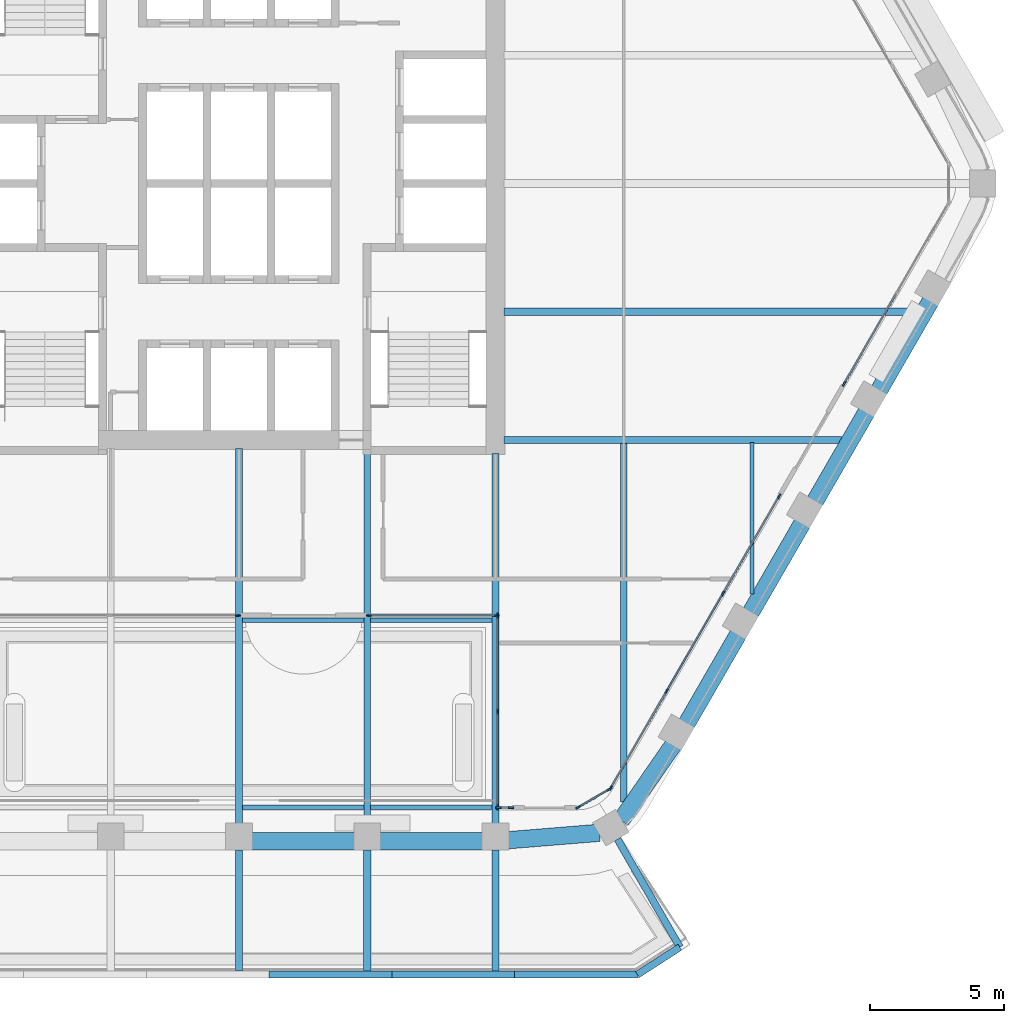
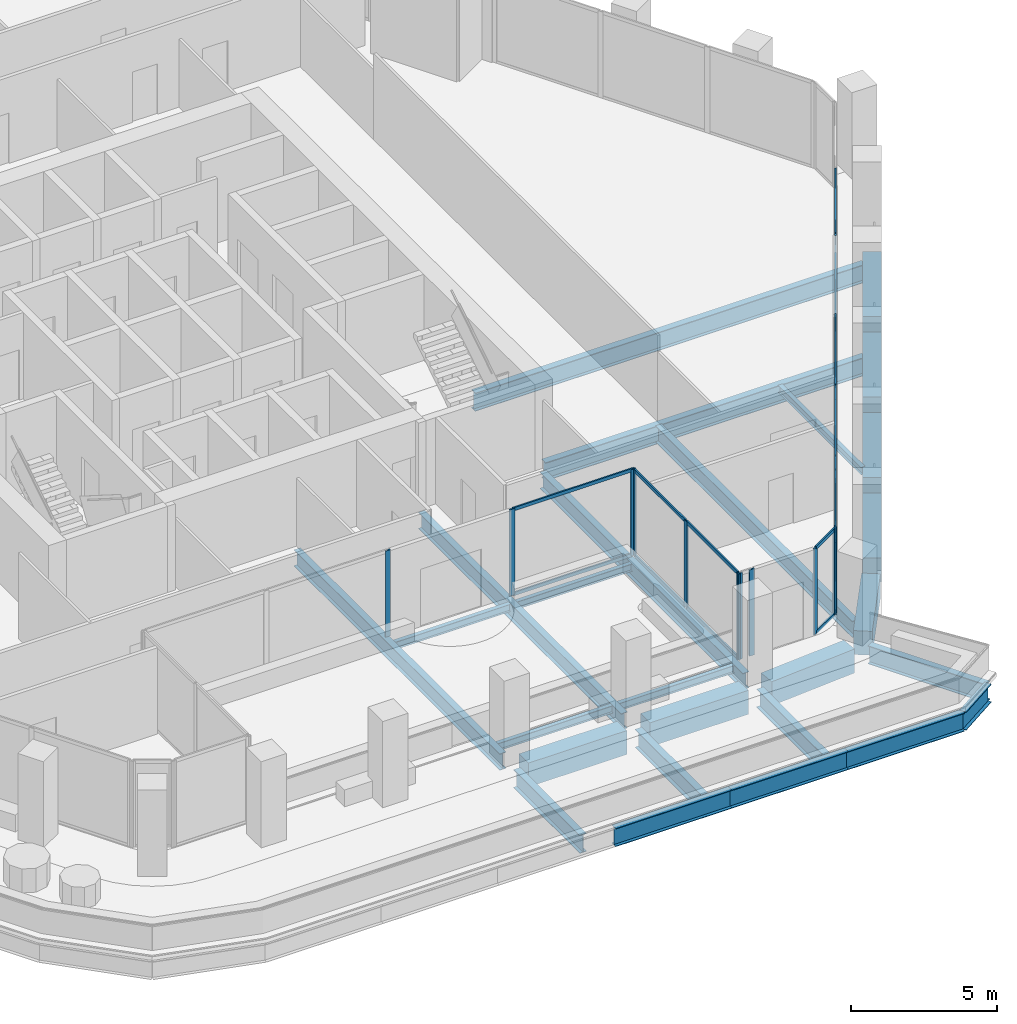
# One storey, part 4 of 18: 31 members, 27 beams, 7 elements without a shape of their own.
"""IFC4 building model written with IfcOpenShell, lengths in metres."""

from ifc_helpers import new_model, si_unit, direction, frame, origin, origin_2d, place, context, subcontext, project, spatial, rectangle, i_section, extrude, material, material_profile, profile_set, type_object, element, aggregate, save


model = new_model("IFC4")

# Units and contexts
model_context = context("Model", 3, precision=1e-05, world=origin(), true_north=direction((0.0, 1.0)))
body_context = subcontext(model_context, "Body", "Model", "MODEL_VIEW")
ifc_project = project(units=[si_unit("LENGTHUNIT", "METRE"), si_unit("AREAUNIT", "SQUARE_METRE"), si_unit("VOLUMEUNIT", "CUBIC_METRE"), si_unit("PLANEANGLEUNIT", "RADIAN"), si_unit("MASSUNIT", "GRAM", prefix="KILO")], contexts=[model_context])

# Site, building, storey
site_placement = place(None, origin())
site = spatial("IfcSite", under=ifc_project, at=site_placement, CompositionType="ELEMENT")
building_placement = place(site_placement, origin())
building = spatial("IfcBuilding", under=site, at=building_placement, Name="Kolab Exchange Tower", CompositionType="ELEMENT")
storey_placement = place(building_placement, frame((0.0, 0.0, 212.89990234375)))
storey = spatial("IfcBuildingStorey", under=building, at=storey_placement, Name="L46", CompositionType="ELEMENT", Elevation=212.89990234375)

# Beams
ifc_material_1 = material(Name="Steel S355", Category="steel")
ifc_material_profile_1 = material_profile(ifc_material_1, i_section(OverallWidth=0.1650390625, OverallDepth=0.31005859375, WebThickness=0.005859375, FlangeThickness=0.009765625, at=origin_2d()), Name="W310X39")
ifc_profile_set_1 = profile_set([ifc_material_profile_1], Name="Steel S355")
beam_type_1 = type_object("IfcBeamType", Name="FLOOR BEAM W310X39", PredefinedType="BEAM", material=ifc_profile_set_1)
for number, where, z_axis, x_axis, name in (
    (1, (0.126953125, -23.33642578125, -0.304931640625), (1.0, 0.0, 0.0), (0.0, 1.0, 0.0), "beam/L46/fr/017"),
    (2, (0.126953125, -16.346435546875, -0.304931640625), (1.0, 0.0, 0.0), (0.0, 1.0, 0.0), "beam/L46/fr/018"),
):
    element("IfcBeam", number, at=place(storey_placement, frame(where, z_axis=z_axis, x_axis=x_axis)), inside=storey, type_object=beam_type_1, Name=name, PredefinedType="BEAM", context=body_context, shape_type="SweptSolid", body=[
        extrude(i_section(OverallWidth=0.1650390625, OverallDepth=0.31005859375, WebThickness=0.005859375, FlangeThickness=0.009765625, at=origin_2d()), origin(), (0.0, 0.0, 1.0), 4.546142578125),
    ])
for number, where, z_axis, x_axis, name in (
    (3, (4.927001953125, -23.33642578125, -0.304931640625), (1.0, 0.0, 0.0), (0.0, 1.0, 0.0), "beam/L46/fr/021"),
    (4, (4.927001953125, -16.346435546875, -0.304931640625), (1.0, 0.0, 0.0), (0.0, 1.0, 0.0), "beam/L46/fr/022"),
):
    element("IfcBeam", number, at=place(storey_placement, frame(where, z_axis=z_axis, x_axis=x_axis)), inside=storey, type_object=beam_type_1, Name=name, PredefinedType="BEAM", context=body_context, shape_type="SweptSolid", body=[
        extrude(i_section(OverallWidth=0.1650390625, OverallDepth=0.31005859375, WebThickness=0.005859375, FlangeThickness=0.009765625, at=origin_2d()), origin(), (0.0, 0.0, 1.0), 4.5458984375),
    ])
beam_1_placement = place(storey_placement, frame((19.199951171875, -15.36767578125, -0.304931640625), z_axis=(0.0, 1.0, 0.0), x_axis=(-1.0, 0.0, 0.0)))
element("IfcBeam", 5, at=beam_1_placement, inside=storey, type_object=beam_type_1, Name="beam/L46/fr/030", PredefinedType="BEAM", context=body_context, shape_type="SweptSolid", body=[
    extrude(i_section(OverallWidth=0.1650390625, OverallDepth=0.31005859375, WebThickness=0.005859375, FlangeThickness=0.009765625, at=origin_2d()), origin(), (0.0, 0.0, 1.0), 5.674072265625),
])
ifc_material_profile_2 = material_profile(ifc_material_1, i_section(OverallWidth=0.25390625, OverallDepth=0.68408203125, WebThickness=0.012451171875, FlangeThickness=0.018798828125, at=origin_2d()), Name="W690X140")
ifc_profile_set_2 = profile_set([ifc_material_profile_2], Name="Steel S355")
beam_type_2 = type_object("IfcBeamType", Name="FLOOR BEAM W690X140", PredefinedType="BEAM", material=ifc_profile_set_2)
beam_2_placement = place(storey_placement, frame((0.0, -23.9814453125, -0.491943359375), z_axis=(0.0, 1.0, 0.0), x_axis=(-1.0, 0.0, 0.0)))
element("IfcBeam", 6, at=beam_2_placement, inside=storey, type_object=beam_type_2, Name="beam/L46/fr/015", PredefinedType="BEAM", context=body_context, shape_type="SweptSolid", body=[
    extrude(i_section(OverallWidth=0.25390625, OverallDepth=0.68408203125, WebThickness=0.012451171875, FlangeThickness=0.018798828125, at=origin_2d()), origin(), (0.0, 0.0, 1.0), 14.071533203125),
])
for number, where, z_axis, x_axis, name in (
    (7, (4.800048828125, -23.9814453125, -0.491943359375), (0.0, 1.0, 0.0), (-1.0, 0.0, 0.0), "beam/L46/fr/019"),
    (8, (9.60009765625, -23.9814453125, -0.491943359375), (0.0, 1.0, 0.0), (-1.0, 0.0, 0.0), "beam/L46/fr/023"),
):
    element("IfcBeam", number, at=place(storey_placement, frame(where, z_axis=z_axis, x_axis=x_axis)), inside=storey, type_object=beam_type_2, Name=name, PredefinedType="BEAM", context=body_context, shape_type="SweptSolid", body=[
        extrude(i_section(OverallWidth=0.25390625, OverallDepth=0.68408203125, WebThickness=0.012451171875, FlangeThickness=0.018798828125, at=origin_2d()), origin(), (0.0, 0.0, 1.0), 13.871337890625),
    ])
beam_3_placement = place(storey_placement, frame((14.39990234375, -23.15576171875, -0.491943359375), z_axis=(0.0, 1.0, 0.0), x_axis=(-1.0, 0.0, 0.0)))
element("IfcBeam", 9, at=beam_3_placement, inside=storey, type_object=beam_type_2, Name="beam/L46/fr/028", PredefinedType="BEAM", context=body_context, shape_type="SweptSolid", body=[
    extrude(i_section(OverallWidth=0.25390625, OverallDepth=0.68408203125, WebThickness=0.012451171875, FlangeThickness=0.018798828125, at=origin_2d()), origin(), (0.0, 0.0, 1.0), 13.462158203125),
])
ifc_material_profile_3 = material_profile(ifc_material_1, i_section(OverallWidth=0.26708984375, OverallDepth=0.761962890625, WebThickness=0.014404296875, FlangeThickness=0.021484375, at=origin_2d()), Name="W760X173")
ifc_profile_set_3 = profile_set([ifc_material_profile_3], Name="Steel S355")
beam_type_3 = type_object("IfcBeamType", Name="FLOOR BEAM W760X173", PredefinedType="BEAM", material=ifc_profile_set_3)
beam_4_placement = place(storey_placement, frame((9.909912109375, -4.800048828125, -0.531005859375), z_axis=(1.0, 0.0, 0.0), x_axis=(0.0, 1.0, 0.0)))
element("IfcBeam", 10, at=beam_4_placement, inside=storey, type_object=beam_type_3, Name="beam/L46/fr/025", PredefinedType="BEAM", context=body_context, shape_type="SweptSolid", body=[
    extrude(i_section(OverallWidth=0.26708984375, OverallDepth=0.761962890625, WebThickness=0.014404296875, FlangeThickness=0.021484375, at=origin_2d()), origin(), (0.0, 0.0, 1.0), 15.408203125),
])
ifc_material_profile_4 = material_profile(ifc_material_1, i_section(OverallWidth=0.26708984375, OverallDepth=0.761962890625, WebThickness=0.014404296875, FlangeThickness=0.021484375, at=origin_2d()), Name="W760X173")
ifc_profile_set_4 = profile_set([ifc_material_profile_4], Name="Steel S355")
beam_type_4 = type_object("IfcBeamType", Name="FLOOR GIRDER W760X173", PredefinedType="BEAM", material=ifc_profile_set_4)
beam_5_placement = place(storey_placement, frame((9.909912109375, -9.60009765625, -0.531005859375), z_axis=(1.0, 0.0, 0.0), x_axis=(0.0, 1.0, 0.0)))
element("IfcBeam", 11, at=beam_5_placement, inside=storey, type_object=beam_type_4, Name="beam/L46/gd/002", PredefinedType="BEAM", context=body_context, shape_type="SweptSolid", body=[
    extrude(i_section(OverallWidth=0.26708984375, OverallDepth=0.761962890625, WebThickness=0.014404296875, FlangeThickness=0.021484375, at=origin_2d()), origin(), (0.0, 0.0, 1.0), 12.636962890625),
])
beam_6_placement = place(storey_placement, frame((14.16796875, -24.53955078125, -0.5908203125), z_axis=(0.500004747635, -0.866022662719, 0.0), x_axis=(0.866022662719, 0.500004747635, 0.0)))
element("IfcBeam", 12, at=beam_6_placement, inside=storey, type_object=beam_type_4, Name="beam/L46/ledge/rib-00", PredefinedType="BEAM", context=body_context, shape_type="SweptSolid", body=[
    extrude(i_section(OverallWidth=0.26708984375, OverallDepth=0.761962890625, WebThickness=0.014404296875, FlangeThickness=0.021484375, at=origin_2d()), origin(), (0.0, 0.0, 1.0), 4.66650390625),
])
for number, where, z_axis, x_axis, name in (
    (13, (9.60009765625, -24.94140625, -0.5908203125), (0.0, -1.0, 0.0), (1.0, 0.0, 0.0), "beam/L46/ledge/rib-01"),
    (14, (4.800048828125, -24.94140625, -0.5908203125), (0.0, -1.0, 0.0), (1.0, 0.0, 0.0), "beam/L46/ledge/rib-02"),
    (15, (0.0, -24.94140625, -0.5908203125), (0.0, -1.0, 0.0), (1.0, 0.0, 0.0), "beam/L46/ledge/rib-03"),
):
    element("IfcBeam", number, at=place(storey_placement, frame(where, z_axis=z_axis, x_axis=x_axis)), inside=storey, type_object=beam_type_4, Name=name, PredefinedType="BEAM", context=body_context, shape_type="SweptSolid", body=[
        extrude(i_section(OverallWidth=0.26708984375, OverallDepth=0.761962890625, WebThickness=0.014404296875, FlangeThickness=0.021484375, at=origin_2d()), origin(), (0.0, 0.0, 1.0), 4.533203125),
    ])
beam_7_placement = place(storey_placement, frame((16.501220703125, -28.5810546875, -0.5908203125), z_axis=(-0.839981802732, -0.542614569542, 0.0), x_axis=(0.542614569542, -0.839981802732, 0.0)))
element("IfcBeam", 16, at=beam_7_placement, inside=storey, type_object=beam_type_4, Name="beam/L46/ledge/edge-00", PredefinedType="BEAM", context=body_context, shape_type="SweptSolid", body=[
    extrude(i_section(OverallWidth=0.26708984375, OverallDepth=0.761962890625, WebThickness=0.014404296875, FlangeThickness=0.021484375, at=origin_2d()), origin(), (0.0, 0.0, 1.0), 1.892333984375),
])
beam_8_placement = place(storey_placement, frame((14.91162109375, -29.60791015625, -0.5908203125), z_axis=(-1.0, 0.0, 0.0), x_axis=(0.0, -1.0, 0.0)))
element("IfcBeam", 17, at=beam_8_placement, inside=storey, type_object=beam_type_4, Name="beam/L46/ledge/edge-01", PredefinedType="BEAM", context=body_context, shape_type="SweptSolid", body=[
    extrude(i_section(OverallWidth=0.26708984375, OverallDepth=0.761962890625, WebThickness=0.014404296875, FlangeThickness=0.021484375, at=origin_2d()), origin(), (0.0, 0.0, 1.0), 4.593505859375),
])
for number, where, z_axis, x_axis, name in (
    (18, (10.318115234375, -29.60791015625, -0.5908203125), (-1.0, 0.0, 0.0), (0.0, -1.0, 0.0), "beam/L46/ledge/edge-02"),
    (19, (5.724365234375, -29.60791015625, -0.5908203125), (-1.0, 0.0, 0.0), (0.0, -1.0, 0.0), "beam/L46/ledge/edge-03"),
):
    element("IfcBeam", number, at=place(storey_placement, frame(where, z_axis=z_axis, x_axis=x_axis)), inside=storey, type_object=beam_type_4, Name=name, PredefinedType="BEAM", context=body_context, shape_type="SweptSolid", body=[
        extrude(i_section(OverallWidth=0.26708984375, OverallDepth=0.761962890625, WebThickness=0.014404296875, FlangeThickness=0.021484375, at=origin_2d()), origin(), (0.0, 0.0, 1.0), 4.59375),
    ])
ifc_material_2 = material(Name="Concrete C60/75", Category="concrete")
ifc_material_profile_5 = material_profile(ifc_material_2, rectangle(XDim=0.64990234375, YDim=1.0, at=origin_2d()), Name="RC650X1000")
ifc_profile_set_5 = profile_set([ifc_material_profile_5], Name="Concrete C60/75")
beam_type_5 = type_object("IfcBeamType", Name="SPANDREL BEAM 650X1000 C60/75", PredefinedType="BEAM", material=ifc_profile_set_5)
for number, where, z_axis, x_axis, name in (
    (20, (25.888427734375, -4.392822265625, -0.64990234375), (-0.499996613652, -0.866027358884, 0.0), (0.866027358884, -0.499996613652, 0.0), "beam/L46/sp/F3-02"),
    (21, (23.488525390625, -8.5498046875, -0.64990234375), (-0.499996613652, -0.866027358884, 0.0), (0.866027358884, -0.499996613652, 0.0), "beam/L46/sp/F3-03"),
):
    element("IfcBeam", number, at=place(storey_placement, frame(where, z_axis=z_axis, x_axis=x_axis)), inside=storey, type_object=beam_type_5, Name=name, PredefinedType="BEAM", context=body_context, shape_type="SweptSolid", body=[
        extrude(rectangle(XDim=0.64990234375, YDim=1.0, at=origin_2d()), origin(), (0.0, 0.0, 1.0), 3.8798828125),
    ])
beam_9_placement = place(storey_placement, frame((21.088623046875, -12.70654296875, -0.64990234375), z_axis=(-0.50001655835, -0.866015843605, 0.0), x_axis=(0.866015843605, -0.50001655835, 0.0)))
element("IfcBeam", 22, at=beam_9_placement, inside=storey, type_object=beam_type_5, Name="beam/L46/sp/F3-04", PredefinedType="BEAM", context=body_context, shape_type="SweptSolid", body=[
    extrude(rectangle(XDim=0.64990234375, YDim=1.0, at=origin_2d()), origin(), (0.0, 0.0, 1.0), 3.880126953125),
])
beam_10_placement = place(storey_placement, frame((18.6884765625, -16.863525390625, -0.64990234375), z_axis=(-0.499996613652, -0.866027358884, 0.0), x_axis=(0.866027358884, -0.499996613652, 0.0)))
element("IfcBeam", 23, at=beam_10_placement, inside=storey, type_object=beam_type_5, Name="beam/L46/sp/F3-05", PredefinedType="BEAM", context=body_context, shape_type="SweptSolid", body=[
    extrude(rectangle(XDim=0.64990234375, YDim=1.0, at=origin_2d()), origin(), (0.0, 0.0, 1.0), 3.8798828125),
])
for number, where, z_axis, x_axis, name in (
    (24, (16.256103515625, -21.001953125, -0.64990234375), (-0.568572281073, -0.822633309073, 0.0), (0.822633309073, -0.568572281073, 0.0), "beam/L46/sp/F3-06"),
    (25, (13.493896484375, -24.2998046875, -0.64990234375), (-0.996708497182, -0.081068931445, 0.0), (0.081068931445, -0.996708497182, 0.0), "beam/L46/sp/F4-01"),
):
    element("IfcBeam", number, at=place(storey_placement, frame(where, z_axis=z_axis, x_axis=x_axis)), inside=storey, type_object=beam_type_5, Name=name, PredefinedType="BEAM", context=body_context, shape_type="SweptSolid", body=[
        extrude(rectangle(XDim=0.64990234375, YDim=1.0, at=origin_2d()), origin(), (0.0, 0.0, 1.0), 3.445068359375),
    ])
beam_11_placement = place(storey_placement, frame((9.139892578125, -24.616455078125, -0.64990234375), z_axis=(-1.0, 0.0, 0.0), x_axis=(0.0, -1.0, 0.0)))
element("IfcBeam", 26, at=beam_11_placement, inside=storey, type_object=beam_type_5, Name="beam/L46/sp/F4-02", PredefinedType="BEAM", context=body_context, shape_type="SweptSolid", body=[
    extrude(rectangle(XDim=0.64990234375, YDim=1.0, at=origin_2d()), origin(), (0.0, 0.0, 1.0), 3.8798828125),
])
beam_12_placement = place(storey_placement, frame((4.340087890625, -24.616455078125, -0.64990234375), z_axis=(-1.0, 0.0, 0.0), x_axis=(0.0, -1.0, 0.0)))
element("IfcBeam", 27, at=beam_12_placement, inside=storey, type_object=beam_type_5, Name="beam/L46/sp/F4-03", PredefinedType="BEAM", context=body_context, shape_type="SweptSolid", body=[
    extrude(rectangle(XDim=0.64990234375, YDim=1.0, at=origin_2d()), origin(), (0.0, 0.0, 1.0), 3.880126953125),
])

# Curtain wall, member
ifc_material_3 = material(Name="Aluminium EN AW-6063 T6", Category="aluminium")
curtain_wall_type = type_object("IfcCurtainWallType", Name="UNITISED UPPER MID ZONE CURTAIN WALL", PredefinedType="NOTDEFINED", material=ifc_material_3)
curtain_wall_1_placement = place(storey_placement, origin())
curtain_wall_1 = element("IfcCurtainWall", 28, at=curtain_wall_1_placement, inside=storey, type_object=curtain_wall_type, Name="cw/L46/F3-1", PredefinedType="NOTDEFINED")
ifc_material_profile_6 = material_profile(ifc_material_3, rectangle(XDim=0.06005859375, YDim=0.199951171875, at=origin_2d()), Name="RECT 60X200")
ifc_profile_set_6 = profile_set([ifc_material_profile_6], Name="Aluminium EN AW-6063 T6")
member_type_1 = type_object("IfcMemberType", Name="UNITISED UPPER MID ZONE MULLION 60 X 200", PredefinedType="MULLION", material=ifc_profile_set_6)
member_1_placement = place(storey_placement, frame((22.646728515625, -7.497802734375, 0.0), z_axis=(0.0, 0.0, 1.0), x_axis=(0.866025440524, -0.499999936366, 0.0)))
member_1 = element("IfcMember", 29, at=member_1_placement, type_object=member_type_1, Name="CW3 mullion 3", PredefinedType="MULLION", context=body_context, shape_type="SweptSolid", body=[
    extrude(rectangle(XDim=0.06005859375, YDim=0.199951171875, at=origin_2d()), origin(), (0.0, 0.0, 1.0), 3.60009765625),
])

# Curtain wall, members
curtain_wall_2_placement = place(storey_placement, origin())
curtain_wall_2 = element("IfcCurtainWall", 30, at=curtain_wall_2_placement, inside=storey, type_object=curtain_wall_type, Name="cw/L46/F3-2", PredefinedType="NOTDEFINED")
member_2_placement = place(storey_placement, frame((20.216796875, -11.706787109375, 0.0), z_axis=(0.0, 0.0, 1.0), x_axis=(0.866025393644, -0.500000017564, 0.0)))
member_2 = element("IfcMember", 31, at=member_2_placement, type_object=member_type_1, Name="CW3 mullion 1", PredefinedType="MULLION", context=body_context, shape_type="SweptSolid", body=[
    extrude(rectangle(XDim=0.06005859375, YDim=0.199951171875, at=origin_2d()), origin(), (0.0, 0.0, 1.0), 3.60009765625),
])
member_3_placement = place(storey_placement, frame((18.120361328125, -15.337646484375, 0.0), z_axis=(0.0, 0.0, 1.0), x_axis=(0.866025393644, -0.500000017564, 0.0)))
member_3 = element("IfcMember", 32, at=member_3_placement, type_object=member_type_1, Name="CW3 mullion 2", PredefinedType="MULLION", context=body_context, shape_type="SweptSolid", body=[
    extrude(rectangle(XDim=0.06005859375, YDim=0.199951171875, at=origin_2d()), origin(), (0.0, 0.0, 1.0), 3.60009765625),
])
member_4_placement = place(storey_placement, frame((16.009033203125, -18.99462890625, 0.0), z_axis=(0.0, 0.0, 1.0), x_axis=(0.866025393644, -0.500000017564, 0.0)))
member_4 = element("IfcMember", 33, at=member_4_placement, type_object=member_type_1, Name="CW3 mullion 3", PredefinedType="MULLION", context=body_context, shape_type="SweptSolid", body=[
    extrude(rectangle(XDim=0.06005859375, YDim=0.199951171875, at=origin_2d()), origin(), (0.0, 0.0, 1.0), 3.60009765625),
])
member_5_placement = place(storey_placement, frame((13.91259765625, -22.62548828125, 0.0), z_axis=(0.0, 0.0, 1.0), x_axis=(0.866025393644, -0.500000017564, 0.0)))
member_5 = element("IfcMember", 34, at=member_5_placement, type_object=member_type_1, Name="CW3 mullion 4", PredefinedType="MULLION", context=body_context, shape_type="SweptSolid", body=[
    extrude(rectangle(XDim=0.06005859375, YDim=0.199951171875, at=origin_2d()), origin(), (0.0, 0.0, 1.0), 3.60009765625),
])

curtain_wall_3_placement = place(storey_placement, origin())
curtain_wall_3 = element("IfcCurtainWall", 35, at=curtain_wall_3_placement, inside=storey, type_object=curtain_wall_type, Name="cw/L46/F4-l-1", PredefinedType="NOTDEFINED")
member_6_placement = place(storey_placement, frame((10.177978515625, -23.361572265625, 0.0), z_axis=(0.0, 0.0, 1.0), x_axis=(0.0, -1.0, 0.0)))
member_6 = element("IfcMember", 36, at=member_6_placement, type_object=member_type_1, Name="CW3 mullion 1", PredefinedType="MULLION", context=body_context, shape_type="SweptSolid", body=[
    extrude(rectangle(XDim=0.06005859375, YDim=0.199951171875, at=origin_2d()), origin(), (0.0, 0.0, 1.0), 3.60009765625),
])
member_7_placement = place(storey_placement, frame((9.7099609375, -23.361572265625, 0.0), z_axis=(0.0, 0.0, 1.0), x_axis=(0.0, -1.0, 0.0)))
member_7 = element("IfcMember", 37, at=member_7_placement, type_object=member_type_1, Name="CW3 mullion 2", PredefinedType="MULLION", context=body_context, shape_type="SweptSolid", body=[
    extrude(rectangle(XDim=0.06005859375, YDim=0.199951171875, at=origin_2d()), origin(), (0.0, 0.0, 1.0), 3.60009765625),
])
aggregate(curtain_wall_3, [member_6, member_7])

curtain_wall_4_placement = place(storey_placement, origin())
curtain_wall_4 = element("IfcCurtainWall", 38, at=curtain_wall_4_placement, inside=storey, type_object=curtain_wall_type, Name="cw/L46/F4-rl-1", PredefinedType="NOTDEFINED")
member_8_placement = place(storey_placement, frame((9.679931640625, -23.33154296875, 0.0), z_axis=(0.0, 0.0, 1.0), x_axis=(-1.0, 0.0, 0.0)))
member_8 = element("IfcMember", 39, at=member_8_placement, type_object=member_type_1, Name="CW3 mullion 1", PredefinedType="MULLION", context=body_context, shape_type="SweptSolid", body=[
    extrude(rectangle(XDim=0.06005859375, YDim=0.199951171875, at=origin_2d()), origin(), (0.0, 0.0, 1.0), 3.60009765625),
])
member_9_placement = place(storey_placement, frame((9.679931640625, -19.761474609375, 0.0), z_axis=(0.0, 0.0, 1.0), x_axis=(-1.0, 0.0, 0.0)))
member_9 = element("IfcMember", 40, at=member_9_placement, type_object=member_type_1, Name="CW3 mullion 2", PredefinedType="MULLION", context=body_context, shape_type="SweptSolid", body=[
    extrude(rectangle(XDim=0.06005859375, YDim=0.199951171875, at=origin_2d()), origin(), (0.0, 0.0, 1.0), 3.60009765625),
])
member_10_placement = place(storey_placement, frame((9.679931640625, -16.191650390625, 0.0), z_axis=(0.0, 0.0, 1.0), x_axis=(-1.0, 0.0, 0.0)))
member_10 = element("IfcMember", 41, at=member_10_placement, type_object=member_type_1, Name="CW3 mullion 3", PredefinedType="MULLION", context=body_context, shape_type="SweptSolid", body=[
    extrude(rectangle(XDim=0.06005859375, YDim=0.199951171875, at=origin_2d()), origin(), (0.0, 0.0, 1.0), 3.60009765625),
])

curtain_wall_5_placement = place(storey_placement, origin())
curtain_wall_5 = element("IfcCurtainWall", 42, at=curtain_wall_5_placement, inside=storey, type_object=curtain_wall_type, Name="cw/L46/F4-back-1", PredefinedType="NOTDEFINED")
member_11_placement = place(storey_placement, frame((9.64990234375, -16.16162109375, 0.0), z_axis=(0.0, 0.0, 1.0), x_axis=(0.0, -1.0, 0.0)))
member_11 = element("IfcMember", 43, at=member_11_placement, type_object=member_type_1, Name="CW3 mullion 1", PredefinedType="MULLION", context=body_context, shape_type="SweptSolid", body=[
    extrude(rectangle(XDim=0.06005859375, YDim=0.199951171875, at=origin_2d()), origin(), (0.0, 0.0, 1.0), 3.60009765625),
])
member_12_placement = place(storey_placement, frame((4.8701171875, -16.16162109375, 0.0), z_axis=(0.0, 0.0, 1.0), x_axis=(0.0, -1.0, 0.0)))
member_12 = element("IfcMember", 44, at=member_12_placement, type_object=member_type_1, Name="CW3 mullion 2", PredefinedType="MULLION", context=body_context, shape_type="SweptSolid", body=[
    extrude(rectangle(XDim=0.06005859375, YDim=0.199951171875, at=origin_2d()), origin(), (0.0, 0.0, 1.0), 3.60009765625),
])

# Curtain wall, member
curtain_wall_6_placement = place(storey_placement, origin())
curtain_wall_6 = element("IfcCurtainWall", 45, at=curtain_wall_6_placement, inside=storey, type_object=curtain_wall_type, Name="cw/L46/F4-back-2", PredefinedType="NOTDEFINED")
member_13_placement = place(storey_placement, frame((-0.030029296875, -16.16162109375, 0.0), z_axis=(0.0, 0.0, 1.0), x_axis=(0.0, -1.0, 0.0)))
member_13 = element("IfcMember", 46, at=member_13_placement, type_object=member_type_1, Name="CW3 mullion 1", PredefinedType="MULLION", context=body_context, shape_type="SweptSolid", body=[
    extrude(rectangle(XDim=0.06005859375, YDim=0.199951171875, at=origin_2d()), origin(), (0.0, 0.0, 1.0), 3.60009765625),
])
aggregate(curtain_wall_6, [member_13])

# Curtain wall, members
curtain_wall_7_placement = place(storey_placement, origin())
curtain_wall_7 = element("IfcCurtainWall", 47, at=curtain_wall_7_placement, inside=storey, type_object=curtain_wall_type, Name="cw/L46/F3F4-corner", PredefinedType="NOTDEFINED")
member_14_placement = place(storey_placement, frame((13.871826171875, -22.66650390625, 0.0), z_axis=(0.0, 0.0, 1.0), x_axis=(0.50000002237, -0.866025390869, 0.0)))
member_14 = element("IfcMember", 48, at=member_14_placement, type_object=member_type_1, Name="CW3 mullion 1", PredefinedType="MULLION", context=body_context, shape_type="SweptSolid", body=[
    extrude(rectangle(XDim=0.06005859375, YDim=0.199951171875, at=origin_2d()), origin(), (0.0, 0.0, 1.0), 3.60009765625),
])
member_15_placement = place(storey_placement, frame((12.69384765625, -23.346435546875, 0.0), z_axis=(0.0, 0.0, 1.0), x_axis=(0.50000002237, -0.866025390869, 0.0)))
member_15 = element("IfcMember", 49, at=member_15_placement, type_object=member_type_1, Name="CW3 mullion 2", PredefinedType="MULLION", context=body_context, shape_type="SweptSolid", body=[
    extrude(rectangle(XDim=0.06005859375, YDim=0.199951171875, at=origin_2d()), origin(), (0.0, 0.0, 1.0), 3.60009765625),
])

# Member
ifc_material_profile_7 = material_profile(ifc_material_3, rectangle(XDim=0.06005859375, YDim=0.139892578125, at=origin_2d()), Name="RECT 60X140")
ifc_profile_set_7 = profile_set([ifc_material_profile_7], Name="Aluminium EN AW-6063 T6")
member_type_2 = type_object("IfcMemberType", Name="UNITISED UPPER MID ZONE TRANSOM 60 X 140", PredefinedType="USERDEFINED", material=ifc_profile_set_7)
member_16_placement = place(storey_placement, frame((24.583740234375, -4.142822265625, 0.030029296875), z_axis=(-0.500011990396, -0.866018481016, 0.0), x_axis=(0.866018481016, -0.500011990396, 0.0)))
member_16 = element("IfcMember", 50, at=member_16_placement, type_object=member_type_2, Name="CW3 transom 2.1", ObjectType="TRANSOM", PredefinedType="USERDEFINED", context=body_context, shape_type="SweptSolid", body=[
    extrude(rectangle(XDim=0.06005859375, YDim=0.139892578125, at=origin_2d()), origin(), (0.0, 0.0, 1.0), 3.84423828125),
])

member_17_placement = place(storey_placement, frame((24.583740234375, -4.142822265625, 3.570068359375), z_axis=(-0.500011990396, -0.866018481016, 0.0), x_axis=(0.866018481016, -0.500011990396, 0.0)))
member_17 = element("IfcMember", 51, at=member_17_placement, type_object=member_type_2, Name="CW3 transom 2.2", ObjectType="TRANSOM", PredefinedType="USERDEFINED", context=body_context, shape_type="SweptSolid", body=[
    extrude(rectangle(XDim=0.06005859375, YDim=0.139892578125, at=origin_2d()), origin(), (0.0, 0.0, 1.0), 3.84423828125),
])

aggregate(curtain_wall_1, [member_1, member_16, member_17])

member_18_placement = place(storey_placement, frame((20.20166015625, -11.732666015625, 0.030029296875), z_axis=(-0.500001996123, -0.866024251319, 0.0), x_axis=(0.866024251319, -0.500001996123, 0.0)))
member_18 = element("IfcMember", 52, at=member_18_placement, type_object=member_type_2, Name="CW3 transom 1.1", ObjectType="TRANSOM", PredefinedType="USERDEFINED", context=body_context, shape_type="SweptSolid", body=[
    extrude(rectangle(XDim=0.06005859375, YDim=0.139892578125, at=origin_2d()), origin(), (0.0, 0.0, 1.0), 4.1328125),
])

member_19_placement = place(storey_placement, frame((20.20166015625, -11.732666015625, 3.570068359375), z_axis=(-0.500001996123, -0.866024251319, 0.0), x_axis=(0.866024251319, -0.500001996123, 0.0)))
member_19 = element("IfcMember", 53, at=member_19_placement, type_object=member_type_2, Name="CW3 transom 1.2", ObjectType="TRANSOM", PredefinedType="USERDEFINED", context=body_context, shape_type="SweptSolid", body=[
    extrude(rectangle(XDim=0.06005859375, YDim=0.139892578125, at=origin_2d()), origin(), (0.0, 0.0, 1.0), 4.1328125),
])

member_20_placement = place(storey_placement, frame((18.10546875, -15.36376953125, 0.030029296875), z_axis=(-0.500037208726, -0.86600392025, 0.0), x_axis=(0.86600392025, -0.500037208726, 0.0)))
member_20 = element("IfcMember", 54, at=member_20_placement, type_object=member_type_2, Name="CW3 transom 2.1", ObjectType="TRANSOM", PredefinedType="USERDEFINED", context=body_context, shape_type="SweptSolid", body=[
    extrude(rectangle(XDim=0.06005859375, YDim=0.139892578125, at=origin_2d()), origin(), (0.0, 0.0, 1.0), 4.162841796875),
])

member_21_placement = place(storey_placement, frame((18.10546875, -15.36376953125, 3.570068359375), z_axis=(-0.500037208726, -0.86600392025, 0.0), x_axis=(0.86600392025, -0.500037208726, 0.0)))
member_21 = element("IfcMember", 55, at=member_21_placement, type_object=member_type_2, Name="CW3 transom 2.2", ObjectType="TRANSOM", PredefinedType="USERDEFINED", context=body_context, shape_type="SweptSolid", body=[
    extrude(rectangle(XDim=0.06005859375, YDim=0.139892578125, at=origin_2d()), origin(), (0.0, 0.0, 1.0), 4.162841796875),
])

member_22_placement = place(storey_placement, frame((15.994140625, -19.0205078125, 0.030029296875), z_axis=(-0.500001996123, -0.866024251319, 0.0), x_axis=(0.866024251319, -0.500001996123, 0.0)))
member_22 = element("IfcMember", 56, at=member_22_placement, type_object=member_type_2, Name="CW3 transom 3.1", ObjectType="TRANSOM", PredefinedType="USERDEFINED", context=body_context, shape_type="SweptSolid", body=[
    extrude(rectangle(XDim=0.06005859375, YDim=0.139892578125, at=origin_2d()), origin(), (0.0, 0.0, 1.0), 4.1328125),
])

member_23_placement = place(storey_placement, frame((15.994140625, -19.0205078125, 3.570068359375), z_axis=(-0.500001996123, -0.866024251319, 0.0), x_axis=(0.866024251319, -0.500001996123, 0.0)))
member_23 = element("IfcMember", 57, at=member_23_placement, type_object=member_type_2, Name="CW3 transom 3.2", ObjectType="TRANSOM", PredefinedType="USERDEFINED", context=body_context, shape_type="SweptSolid", body=[
    extrude(rectangle(XDim=0.06005859375, YDim=0.139892578125, at=origin_2d()), origin(), (0.0, 0.0, 1.0), 4.1328125),
])

aggregate(curtain_wall_2, [member_2, member_3, member_4, member_5, member_18, member_19, member_20, member_21, member_22, member_23])

member_24_placement = place(storey_placement, frame((9.679931640625, -23.301513671875, 0.030029296875), z_axis=(0.0, 1.0, 0.0), x_axis=(-1.0, 0.0, 0.0)))
member_24 = element("IfcMember", 58, at=member_24_placement, type_object=member_type_2, Name="CW3 transom 1.1", ObjectType="TRANSOM", PredefinedType="USERDEFINED", context=body_context, shape_type="SweptSolid", body=[
    extrude(rectangle(XDim=0.06005859375, YDim=0.139892578125, at=origin_2d()), origin(), (0.0, 0.0, 1.0), 3.510009765625),
])

member_25_placement = place(storey_placement, frame((9.679931640625, -23.301513671875, 3.570068359375), z_axis=(0.0, 1.0, 0.0), x_axis=(-1.0, 0.0, 0.0)))
member_25 = element("IfcMember", 59, at=member_25_placement, type_object=member_type_2, Name="CW3 transom 1.2", ObjectType="TRANSOM", PredefinedType="USERDEFINED", context=body_context, shape_type="SweptSolid", body=[
    extrude(rectangle(XDim=0.06005859375, YDim=0.139892578125, at=origin_2d()), origin(), (0.0, 0.0, 1.0), 3.510009765625),
])

member_26_placement = place(storey_placement, frame((9.679931640625, -19.7314453125, 0.030029296875), z_axis=(0.0, 1.0, 0.0), x_axis=(-1.0, 0.0, 0.0)))
member_26 = element("IfcMember", 60, at=member_26_placement, type_object=member_type_2, Name="CW3 transom 2.1", ObjectType="TRANSOM", PredefinedType="USERDEFINED", context=body_context, shape_type="SweptSolid", body=[
    extrude(rectangle(XDim=0.06005859375, YDim=0.139892578125, at=origin_2d()), origin(), (0.0, 0.0, 1.0), 3.510009765625),
])

member_27_placement = place(storey_placement, frame((9.679931640625, -19.7314453125, 3.570068359375), z_axis=(0.0, 1.0, 0.0), x_axis=(-1.0, 0.0, 0.0)))
member_27 = element("IfcMember", 61, at=member_27_placement, type_object=member_type_2, Name="CW3 transom 2.2", ObjectType="TRANSOM", PredefinedType="USERDEFINED", context=body_context, shape_type="SweptSolid", body=[
    extrude(rectangle(XDim=0.06005859375, YDim=0.139892578125, at=origin_2d()), origin(), (0.0, 0.0, 1.0), 3.510009765625),
])

aggregate(curtain_wall_4, [member_8, member_9, member_10, member_24, member_25, member_26, member_27])

member_28_placement = place(storey_placement, frame((9.6201171875, -16.16162109375, 0.030029296875), z_axis=(-1.0, 0.0, 0.0), x_axis=(0.0, -1.0, 0.0)))
member_28 = element("IfcMember", 62, at=member_28_placement, type_object=member_type_2, Name="CW3 transom 1.1", ObjectType="TRANSOM", PredefinedType="USERDEFINED", context=body_context, shape_type="SweptSolid", body=[
    extrude(rectangle(XDim=0.06005859375, YDim=0.139892578125, at=origin_2d()), origin(), (0.0, 0.0, 1.0), 4.72021484375),
])

member_29_placement = place(storey_placement, frame((9.6201171875, -16.16162109375, 3.570068359375), z_axis=(-1.0, 0.0, 0.0), x_axis=(0.0, -1.0, 0.0)))
member_29 = element("IfcMember", 63, at=member_29_placement, type_object=member_type_2, Name="CW3 transom 1.2", ObjectType="TRANSOM", PredefinedType="USERDEFINED", context=body_context, shape_type="SweptSolid", body=[
    extrude(rectangle(XDim=0.06005859375, YDim=0.139892578125, at=origin_2d()), origin(), (0.0, 0.0, 1.0), 4.72021484375),
])

aggregate(curtain_wall_5, [member_11, member_12, member_28, member_29])

member_30_placement = place(storey_placement, frame((13.845703125, -22.681640625, 0.030029296875), z_axis=(-0.86603858612, -0.49997716683, 0.0), x_axis=(0.49997716683, -0.86603858612, 0.0)))
member_30 = element("IfcMember", 64, at=member_30_placement, type_object=member_type_2, Name="CW3 transom 1.1", ObjectType="TRANSOM", PredefinedType="USERDEFINED", context=body_context, shape_type="SweptSolid", body=[
    extrude(rectangle(XDim=0.06005859375, YDim=0.139892578125, at=origin_2d()), origin(), (0.0, 0.0, 1.0), 1.2998046875),
])

member_31_placement = place(storey_placement, frame((13.845703125, -22.681640625, 3.570068359375), z_axis=(-0.86603858612, -0.49997716683, 0.0), x_axis=(0.49997716683, -0.86603858612, 0.0)))
member_31 = element("IfcMember", 65, at=member_31_placement, type_object=member_type_2, Name="CW3 transom 1.2", ObjectType="TRANSOM", PredefinedType="USERDEFINED", context=body_context, shape_type="SweptSolid", body=[
    extrude(rectangle(XDim=0.06005859375, YDim=0.139892578125, at=origin_2d()), origin(), (0.0, 0.0, 1.0), 1.2998046875),
])

aggregate(curtain_wall_7, [member_14, member_15, member_30, member_31])

save(model, "model.ifc")
